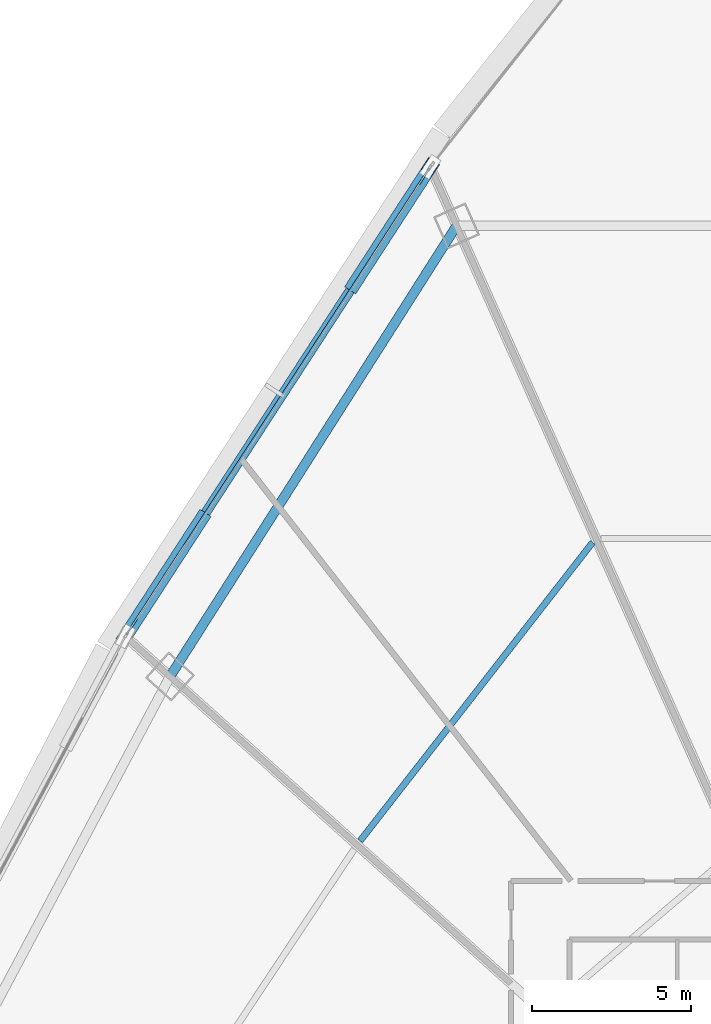
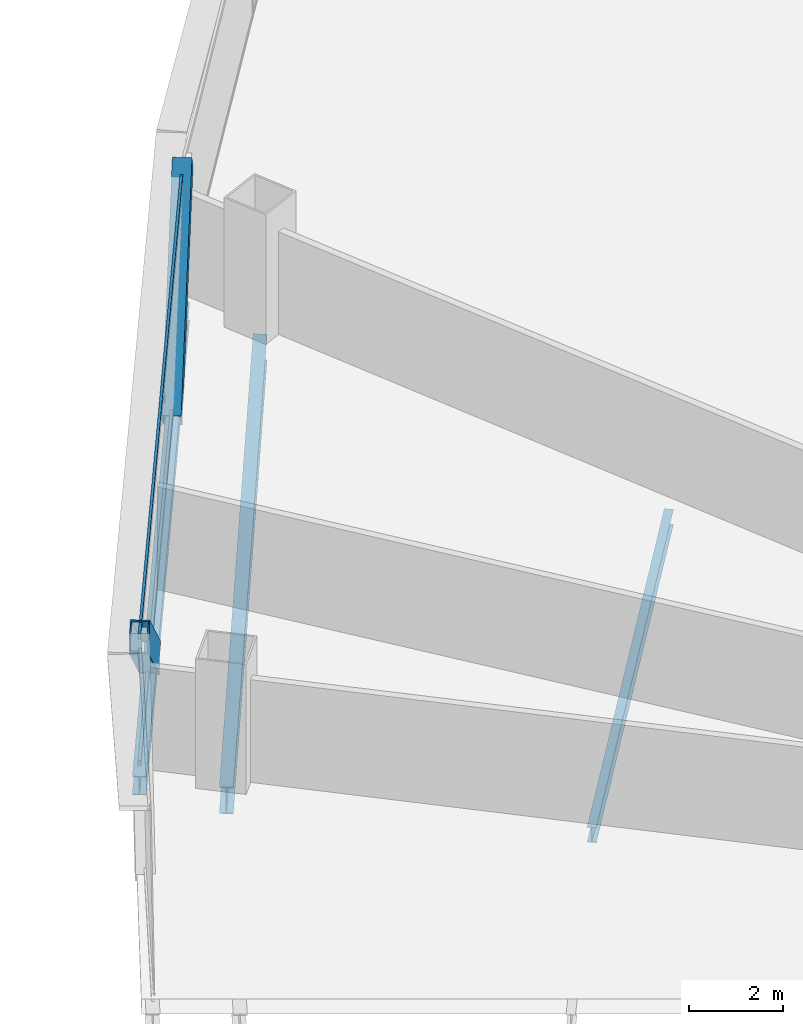
# One storey, part 16 of 38: 4 members, 3 beams, 1 element without a shape of its own.
"""IFC4 building model written with IfcOpenShell, lengths in metres."""

from ifc_helpers import new_model, si_unit, direction, frame, origin, origin_2d, place, context, subcontext, project, spatial, hollow_rectangle, i_section, extrude, source, transform, mapped, material, layer, layer_set, material_profile, profile_set, type_object, element, aggregate, save


model = new_model("IFC4")

# Units and contexts
model_context = context("Model", 3, precision=1e-05, world=origin(), true_north=direction((0.0, 1.0)))
body_context = subcontext(model_context, "Body", "Model", "MODEL_VIEW")
ifc_project = project(units=[si_unit("LENGTHUNIT", "METRE"), si_unit("AREAUNIT", "SQUARE_METRE"), si_unit("VOLUMEUNIT", "CUBIC_METRE"), si_unit("PLANEANGLEUNIT", "RADIAN"), si_unit("MASSUNIT", "GRAM", prefix="KILO"), si_unit("THERMODYNAMICTEMPERATUREUNIT", "KELVIN"), si_unit("POWERUNIT", "WATT")], contexts=[model_context])

# Site, building, storey
site_placement = place(None, origin())
site = spatial("IfcSite", under=ifc_project, at=site_placement, CompositionType="ELEMENT")
building_placement = place(site_placement, origin())
building = spatial("IfcBuilding", under=site, at=building_placement, Name="Yunzhuo Pagoda Commons", CompositionType="ELEMENT")
storey_placement = place(building_placement, frame((0.0, 0.0, 30.39990234375)))
storey = spatial("IfcBuildingStorey", under=building, at=storey_placement, Name="L07", CompositionType="ELEMENT", Elevation=30.39990234375)

# Beams
ifc_material_1 = material(Name="Structural steel Q355B", Category="steel")
ifc_material_profile_1 = material_profile(ifc_material_1, i_section(OverallWidth=0.300048828125, OverallDepth=0.699951171875, WebThickness=0.012939453125, FlangeThickness=0.02392578125, at=origin_2d()), Name="Structural steel Q355B")
ifc_profile_set_1 = profile_set([ifc_material_profile_1], Name="Structural steel Q355B")
beam_type_1 = type_object("IfcBeamType", Name="B-RG1 Beam HN 700x300x13x24", PredefinedType="BEAM", material=ifc_profile_set_1)
shared_shape_1 = source(origin(), body_context, "Body", "SweptSolid", [
    extrude(i_section(OverallWidth=0.300048828125, OverallDepth=0.699951171875, WebThickness=0.012939453125, FlangeThickness=0.02392578125, at=origin_2d()), origin(), (0.0, 0.0, 1.0), 16.843994140625),
])
beam_1_placement = place(storey_placement, frame((31.38916015625, 71.008544921875, -0.60986328125), z_axis=(-0.536558458992, -0.843863152462, 0.0), x_axis=(0.843863152462, -0.536558458992, 0.0)))
element("IfcBeam", 1, at=beam_1_placement, inside=storey, type_object=beam_type_1, Name="L07 column-ring beam 9", PredefinedType="BEAM", context=body_context, shape_type="MappedRepresentation", body=[
    mapped(shared_shape_1, transform((0.0, 0.0, 0.0), scale=1.0)),
])
ifc_material_profile_2 = material_profile(ifc_material_1, i_section(OverallWidth=0.300048828125, OverallDepth=0.488037109375, WebThickness=0.010986328125, FlangeThickness=0.01806640625, at=origin_2d()), Name="Structural steel Q355B")
ifc_profile_set_2 = profile_set([ifc_material_profile_2], Name="Structural steel Q355B")
beam_type_2 = type_object("IfcBeamType", Name="B-SP1 Beam HM 488x300x11x18", PredefinedType="BEAM", material=ifc_profile_set_2)
shared_shape_2 = source(origin(), body_context, "Body", "SweptSolid", [
    extrude(i_section(OverallWidth=0.300048828125, OverallDepth=0.488037109375, WebThickness=0.010986328125, FlangeThickness=0.01806640625, at=origin_2d()), origin(), (0.0, 0.0, 1.0), 17.65625),
])
beam_2_placement = place(storey_placement, frame((30.560546875, 72.869384765625, -0.50390625), z_axis=(-0.544659757043, -0.838657110539, 0.0), x_axis=(0.838657110539, -0.544659757043, 0.0)))
element("IfcBeam", 2, at=beam_2_placement, inside=storey, type_object=beam_type_2, Name="L07 facade edge spandrel beam F3.1", PredefinedType="BEAM", context=body_context, shape_type="MappedRepresentation", body=[
    mapped(shared_shape_2, transform((0.0, 0.0, 0.0), scale=1.0)),
])
ifc_material_profile_3 = material_profile(ifc_material_1, i_section(OverallWidth=0.199951171875, OverallDepth=0.39990234375, WebThickness=0.008056640625, FlangeThickness=0.012939453125, at=origin_2d()), Name="Structural steel Q355B")
ifc_profile_set_3 = profile_set([ifc_material_profile_3], Name="Structural steel Q355B")
beam_type_3 = type_object("IfcBeamType", Name="B-JS1 Joist HN 400x200x8x13", PredefinedType="JOIST", material=ifc_profile_set_3)
shared_shape_3 = source(origin(), body_context, "Body", "SweptSolid", [
    extrude(i_section(OverallWidth=0.199951171875, OverallDepth=0.39990234375, WebThickness=0.008056640625, FlangeThickness=0.012939453125, at=origin_2d()), origin(), (0.0, 0.0, 1.0), 11.934326171875),
])
beam_3_placement = place(storey_placement, frame((35.680908203125, 61.0244140625, -0.4599609375), z_axis=(-0.614546587023, -0.788880531119, 0.0), x_axis=(0.788880531119, -0.614546587023, 0.0)))
element("IfcBeam", 3, at=beam_3_placement, inside=storey, type_object=beam_type_3, Name="L07 composite ring joist 2.9", PredefinedType="JOIST", context=body_context, shape_type="MappedRepresentation", body=[
    mapped(shared_shape_3, transform((0.0, 0.0, 0.0), scale=1.0)),
])

# Members
ifc_material_2 = material(Name="Structural steel Q420B", Category="steel")
ifc_material_profile_4 = material_profile(ifc_material_2, hollow_rectangle(XDim=0.419921875, YDim=0.719970703125, WallThickness=0.028076171875, at=origin_2d()), Name="Structural steel Q420B")
ifc_profile_set_4 = profile_set([ifc_material_profile_4], Name="Structural steel Q420B")
member_type_1 = type_object("IfcMemberType", Name="M-DL1 Brace BOX 720x420x28", PredefinedType="BRACE", material=ifc_profile_set_4)
shared_shape_4 = source(origin(), body_context, "Body", "SweptSolid", [
    extrude(hollow_rectangle(XDim=0.419921875, YDim=0.719970703125, WallThickness=0.028076171875, at=origin_2d()), origin(), (0.0, 0.0, 1.0), 5.715087890625),
])
for number, where, z_axis, x_axis, name in (
    (4, (28.15625, 69.167724609375, -0.260009765625), (0.42069098929, 0.647696667305, 0.635222888987), (-0.838628068455, 0.544704472902, 0.0), "L07 facade diamond brace F3.1L"),
    (5, (23.347900390625, 61.763671875, -0.260009765625), (-0.420644191, -0.647733103294, 0.635216727955), (0.838669742705, -0.544640305772, 0.0), "L07 facade diamond brace F3.1R"),
):
    element("IfcMember", number, at=place(storey_placement, frame(where, z_axis=z_axis, x_axis=x_axis)), inside=storey, type_object=member_type_1, Name=name, PredefinedType="BRACE", context=body_context, shape_type="MappedRepresentation", body=[
        mapped(shared_shape_4, transform((0.0, 0.0, 0.0), scale=1.0)),
    ])

# Curtain wall, members
ifc_material_3 = material(Name="Anodized aluminium 6063-T6", Category="aluminium")
ifc_layer = layer(ifc_material_3, 0.1650390625)
ifc_layer_set = layer_set([ifc_layer], Name="Anodized aluminium 6063-T6")
curtain_wall_type = type_object("IfcCurtainWallType", Name="CW-LOW Low-Zone Ribbon Curtain Wall", PredefinedType="NOTDEFINED", material=ifc_layer_set)
curtain_wall_placement = place(storey_placement, origin())
curtain_wall = element("IfcCurtainWall", 6, at=curtain_wall_placement, inside=storey, type_object=curtain_wall_type, Name="L07 curtain wall CW-L07-F3B2", PredefinedType="NOTDEFINED")
ifc_material_profile_5 = material_profile(ifc_material_3, hollow_rectangle(XDim=0.06005859375, YDim=0.139892578125, WallThickness=0.00341796875, at=origin_2d()), Name="Anodized aluminium 6063-T6")
ifc_profile_set_5 = profile_set([ifc_material_profile_5], Name="Anodized aluminium 6063-T6")
member_type_2 = type_object("IfcMemberType", Name="CW-LOW-T Transom RHS 140x60x3.5", PredefinedType="USERDEFINED", material=ifc_profile_set_5)
shared_shape_5 = source(origin(), body_context, "Body", "SweptSolid", [
    extrude(hollow_rectangle(XDim=0.06005859375, YDim=0.139892578125, WallThickness=0.00341796875, at=origin_2d()), origin(), (0.0, 0.0, 1.0), 17.526611328125),
])
member_1_placement = place(storey_placement, frame((30.525390625, 72.81494140625, 0.030029296875), z_axis=(-0.544675936796, -0.838646602494, 0.0), x_axis=(0.838646602494, -0.544675936796, 0.0)))
member_1 = element("IfcMember", 7, at=member_1_placement, type_object=member_type_2, Name="CW transom 1.1", ObjectType="TRANSOM", PredefinedType="USERDEFINED", context=body_context, shape_type="MappedRepresentation", body=[
    mapped(shared_shape_5, transform((0.0, 0.0, 0.0), scale=1.0)),
])
member_2_placement = place(storey_placement, frame((30.525390625, 72.81494140625, 3.340087890625), z_axis=(-0.544675936796, -0.838646602494, 0.0), x_axis=(0.838646602494, -0.544675936796, 0.0)))
member_2 = element("IfcMember", 8, at=member_2_placement, type_object=member_type_2, Name="CW transom 1.2", ObjectType="TRANSOM", PredefinedType="USERDEFINED", context=body_context, shape_type="MappedRepresentation", body=[
    mapped(shared_shape_5, transform((0.0, 0.0, 0.0), scale=1.0)),
])
aggregate(curtain_wall, [member_1, member_2])

save(model, "model.ifc")
